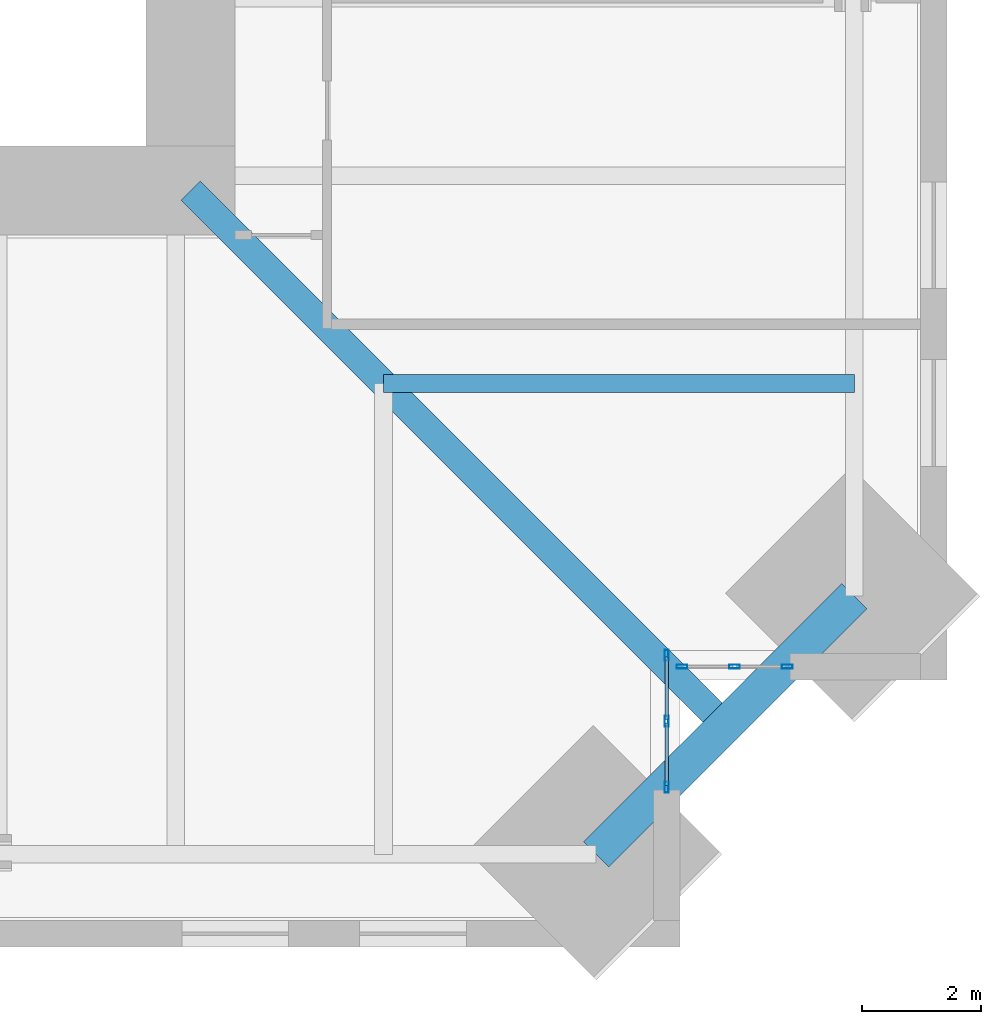
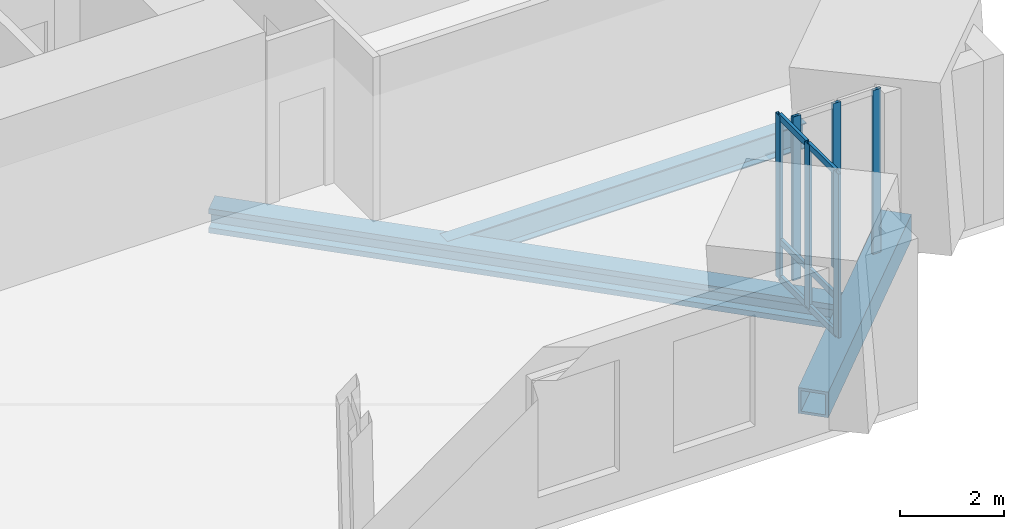
# One storey, part 4 of 15: 12 members, 3 beams, 2 elements without a shape of their own.
"""IFC4 building model written with IfcOpenShell, lengths in metres."""

from ifc_helpers import new_model, si_unit, direction, frame, origin, origin_2d, place, context, subcontext, project, spatial, hollow_rectangle, i_section, extrude, material, material_profile, profile_set, type_object, element, aggregate, save


model = new_model("IFC4")

# Units and contexts
model_context = context("Model", 3, precision=1e-05, world=origin(), true_north=direction((0.0, 1.0)))
body_context = subcontext(model_context, "Body", "Model", "MODEL_VIEW")
ifc_project = project(units=[si_unit("LENGTHUNIT", "METRE"), si_unit("AREAUNIT", "SQUARE_METRE"), si_unit("VOLUMEUNIT", "CUBIC_METRE"), si_unit("PLANEANGLEUNIT", "RADIAN"), si_unit("MASSUNIT", "GRAM", prefix="KILO")], contexts=[model_context])

# Site, building, storey
site_placement = place(None, origin())
site = spatial("IfcSite", under=ifc_project, at=site_placement, CompositionType="ELEMENT")
building_placement = place(site_placement, origin())
building = spatial("IfcBuilding", under=site, at=building_placement, Name="Peilmerk Tower", CompositionType="ELEMENT")
storey_placement = place(building_placement, frame((0.0, 0.0, 209.800048828125)))
storey = spatial("IfcBuildingStorey", under=building, at=storey_placement, Name="L45", CompositionType="ELEMENT", Elevation=209.800048828125)

# Beams
ifc_material_1 = material(Name="Steel S460", Category="steel")
ifc_material_profile_1 = material_profile(ifc_material_1, hollow_rectangle(XDim=0.60009765625, YDim=0.60009765625, WallThickness=0.06005859375, at=origin_2d()), Name="BOX 600x600x60")
ifc_profile_set_1 = profile_set([ifc_material_profile_1], Name="Steel S460")
beam_type_1 = type_object("IfcBeamType", Name="B20 BOX 600x600x60 notch beam", PredefinedType="SPANDREL", material=ifc_profile_set_1)
beam_1_placement = place(storey_placement, frame((22.43701171875, -18.087158203125, -0.469970703125), z_axis=(-0.707106781187, -0.707106781187, 0.0), x_axis=(0.707106781187, -0.707106781187, 0.0)))
element("IfcBeam", 1, at=beam_1_placement, inside=storey, type_object=beam_type_1, Name="Notch beam L45", PredefinedType="SPANDREL", context=body_context, shape_type="SweptSolid", body=[
    extrude(hollow_rectangle(XDim=0.60009765625, YDim=0.60009765625, WallThickness=0.06005859375, at=origin_2d()), origin(), (0.0, 0.0, 1.0), 6.151611328125),
])
ifc_material_2 = material(Name="Steel S355", Category="steel")
ifc_material_profile_2 = material_profile(ifc_material_2, i_section(OverallWidth=0.300048828125, OverallDepth=0.590087890625, WebThickness=0.012939453125, FlangeThickness=0.02490234375, at=origin_2d()), Name="HEA 600")
ifc_profile_set_2 = profile_set([ifc_material_profile_2], Name="Steel S355")
beam_type_2 = type_object("IfcBeamType", Name="B27 HEA 600 floor beam", PredefinedType="BEAM", material=ifc_profile_set_2)
beam_2_placement = place(storey_placement, frame((14.5, -14.5, -0.465087890625), z_axis=(1.0, 0.0, 0.0), x_axis=(0.0, 1.0, 0.0)))
element("IfcBeam", 2, at=beam_2_placement, inside=storey, type_object=beam_type_2, Name="Floor beam L45", PredefinedType="BEAM", context=body_context, shape_type="SweptSolid", body=[
    extrude(i_section(OverallWidth=0.300048828125, OverallDepth=0.590087890625, WebThickness=0.012939453125, FlangeThickness=0.02490234375, at=origin_2d()), origin(), (0.0, 0.0, 1.0), 7.93701171875),
])
ifc_material_profile_3 = material_profile(ifc_material_1, i_section(OverallWidth=0.4541015625, OverallDepth=0.569091796875, WebThickness=0.077880859375, FlangeThickness=0.125, at=origin_2d()), Name="HD 400x1086")
ifc_profile_set_3 = profile_set([ifc_material_profile_3], Name="Steel S460")
beam_type_3 = type_object("IfcBeamType", Name="B9 HD 400x1086 corner girder", PredefinedType="BEAM", material=ifc_profile_set_3)
beam_3_placement = place(storey_placement, frame((11.25, -11.25, -0.45458984375), z_axis=(0.707106781187, -0.707106781187, 0.0), x_axis=(0.707106781187, 0.707106781187, 0.0)))
element("IfcBeam", 3, at=beam_3_placement, inside=storey, type_object=beam_type_3, Name="Corner girder L45", PredefinedType="BEAM", context=body_context, shape_type="SweptSolid", body=[
    extrude(i_section(OverallWidth=0.4541015625, OverallDepth=0.569091796875, WebThickness=0.077880859375, FlangeThickness=0.125, at=origin_2d()), origin(), (0.0, 0.0, 1.0), 12.7451171875),
])

# Curtain wall, members
ifc_material_3 = material(Name="Aluminium stick curtain wall", Category="aluminium")
curtain_wall_type = type_object("IfcCurtainWallType", Name="CW4 stick curtain wall, 2250 module", PredefinedType="NOTDEFINED", material=ifc_material_3)
curtain_wall_1_placement = place(storey_placement, origin())
curtain_wall_1 = element("IfcCurtainWall", 4, at=curtain_wall_1_placement, inside=storey, type_object=curtain_wall_type, Name="Curtain wall CW4 SEA L45", PredefinedType="NOTDEFINED")
ifc_material_4 = material(Name="Aluminium EN AW-6063 T6", Category="aluminium")
ifc_material_profile_4 = material_profile(ifc_material_4, hollow_rectangle(XDim=0.06494140625, YDim=0.179931640625, WallThickness=0.0029296875, at=origin_2d()), Name="AL 180x65x3")
ifc_profile_set_4 = profile_set([ifc_material_profile_4], Name="Aluminium EN AW-6063 T6")
member_type_1 = type_object("IfcMemberType", Name="CW4-M AL 180x65x3 mullion", PredefinedType="MULLION", material=ifc_profile_set_4)
member_1_placement = place(storey_placement, frame((19.27490234375, -19.08251953125, 0.0), z_axis=(0.0, 0.0, 1.0), x_axis=(1.0, 0.0, 0.0)))
member_1 = element("IfcMember", 5, at=member_1_placement, type_object=member_type_1, Name="CW4 mullion 1", PredefinedType="MULLION", context=body_context, shape_type="SweptSolid", body=[
    extrude(hollow_rectangle(XDim=0.06494140625, YDim=0.179931640625, WallThickness=0.0029296875, at=origin_2d()), origin(), (0.0, 0.0, 1.0), 3.829833984375),
])
member_2_placement = place(storey_placement, frame((19.27490234375, -20.1943359375, 0.0), z_axis=(0.0, 0.0, 1.0), x_axis=(1.0, 0.0, 0.0)))
member_2 = element("IfcMember", 6, at=member_2_placement, type_object=member_type_1, Name="CW4 mullion 2", PredefinedType="MULLION", context=body_context, shape_type="SweptSolid", body=[
    extrude(hollow_rectangle(XDim=0.06494140625, YDim=0.179931640625, WallThickness=0.0029296875, at=origin_2d()), origin(), (0.0, 0.0, 1.0), 3.829833984375),
])
member_3_placement = place(storey_placement, frame((19.27490234375, -21.30615234375, 0.0), z_axis=(0.0, 0.0, 1.0), x_axis=(1.0, 0.0, 0.0)))
member_3 = element("IfcMember", 7, at=member_3_placement, type_object=member_type_1, Name="CW4 mullion 3", PredefinedType="MULLION", context=body_context, shape_type="SweptSolid", body=[
    extrude(hollow_rectangle(XDim=0.06494140625, YDim=0.179931640625, WallThickness=0.0029296875, at=origin_2d()), origin(), (0.0, 0.0, 1.0), 3.829833984375),
])

curtain_wall_2_placement = place(storey_placement, origin())
curtain_wall_2 = element("IfcCurtainWall", 8, at=curtain_wall_2_placement, inside=storey, type_object=curtain_wall_type, Name="Curtain wall CW4 SEB L45", PredefinedType="NOTDEFINED")
member_4_placement = place(storey_placement, frame((19.532470703125, -19.27490234375, 0.0), z_axis=(0.0, 0.0, 1.0), x_axis=(0.0, 1.0, 0.0)))
member_4 = element("IfcMember", 9, at=member_4_placement, type_object=member_type_1, Name="CW4 mullion 1", PredefinedType="MULLION", context=body_context, shape_type="SweptSolid", body=[
    extrude(hollow_rectangle(XDim=0.06494140625, YDim=0.179931640625, WallThickness=0.0029296875, at=origin_2d()), origin(), (0.0, 0.0, 1.0), 3.829833984375),
])
member_5_placement = place(storey_placement, frame((20.41943359375, -19.27490234375, 0.0), z_axis=(0.0, 0.0, 1.0), x_axis=(0.0, 1.0, 0.0)))
member_5 = element("IfcMember", 10, at=member_5_placement, type_object=member_type_1, Name="CW4 mullion 2", PredefinedType="MULLION", context=body_context, shape_type="SweptSolid", body=[
    extrude(hollow_rectangle(XDim=0.06494140625, YDim=0.179931640625, WallThickness=0.0029296875, at=origin_2d()), origin(), (0.0, 0.0, 1.0), 3.829833984375),
])
member_6_placement = place(storey_placement, frame((21.30615234375, -19.27490234375, 0.0), z_axis=(0.0, 0.0, 1.0), x_axis=(0.0, 1.0, 0.0)))
member_6 = element("IfcMember", 11, at=member_6_placement, type_object=member_type_1, Name="CW4 mullion 3", PredefinedType="MULLION", context=body_context, shape_type="SweptSolid", body=[
    extrude(hollow_rectangle(XDim=0.06494140625, YDim=0.179931640625, WallThickness=0.0029296875, at=origin_2d()), origin(), (0.0, 0.0, 1.0), 3.829833984375),
])
aggregate(curtain_wall_2, [member_4, member_5, member_6])

# Member
ifc_material_profile_5 = material_profile(ifc_material_4, hollow_rectangle(XDim=0.06494140625, YDim=0.14990234375, WallThickness=0.0029296875, at=origin_2d()), Name="AL 150x65x3")
ifc_profile_set_5 = profile_set([ifc_material_profile_5], Name="Aluminium EN AW-6063 T6")
member_type_2 = type_object("IfcMemberType", Name="CW4-T AL 150x65x3 transom", PredefinedType="USERDEFINED", material=ifc_profile_set_5)
member_7_placement = place(storey_placement, frame((19.27490234375, -19.114990234375, 0.032470703125), z_axis=(0.0, -1.0, 0.0), x_axis=(1.0, 0.0, 0.0)))
member_7 = element("IfcMember", 12, at=member_7_placement, type_object=member_type_2, Name="CW4 transom 1.1", ObjectType="TRANSOM", PredefinedType="USERDEFINED", context=body_context, shape_type="SweptSolid", body=[
    extrude(hollow_rectangle(XDim=0.06494140625, YDim=0.14990234375, WallThickness=0.0029296875, at=origin_2d()), origin(), (0.0, 0.0, 1.0), 1.046875),
])

member_8_placement = place(storey_placement, frame((19.27490234375, -19.114990234375, 0.89990234375), z_axis=(0.0, -1.0, 0.0), x_axis=(1.0, 0.0, 0.0)))
member_8 = element("IfcMember", 13, at=member_8_placement, type_object=member_type_2, Name="CW4 transom 1.2", ObjectType="TRANSOM", PredefinedType="USERDEFINED", context=body_context, shape_type="SweptSolid", body=[
    extrude(hollow_rectangle(XDim=0.06494140625, YDim=0.14990234375, WallThickness=0.0029296875, at=origin_2d()), origin(), (0.0, 0.0, 1.0), 1.046875),
])

member_9_placement = place(storey_placement, frame((19.27490234375, -19.114990234375, 3.79736328125), z_axis=(0.0, -1.0, 0.0), x_axis=(1.0, 0.0, 0.0)))
member_9 = element("IfcMember", 14, at=member_9_placement, type_object=member_type_2, Name="CW4 transom 1.3", ObjectType="TRANSOM", PredefinedType="USERDEFINED", context=body_context, shape_type="SweptSolid", body=[
    extrude(hollow_rectangle(XDim=0.06494140625, YDim=0.14990234375, WallThickness=0.0029296875, at=origin_2d()), origin(), (0.0, 0.0, 1.0), 1.046875),
])

member_10_placement = place(storey_placement, frame((19.27490234375, -20.226806640625, 0.032470703125), z_axis=(0.0, -1.0, 0.0), x_axis=(1.0, 0.0, 0.0)))
member_10 = element("IfcMember", 15, at=member_10_placement, type_object=member_type_2, Name="CW4 transom 2.1", ObjectType="TRANSOM", PredefinedType="USERDEFINED", context=body_context, shape_type="SweptSolid", body=[
    extrude(hollow_rectangle(XDim=0.06494140625, YDim=0.14990234375, WallThickness=0.0029296875, at=origin_2d()), origin(), (0.0, 0.0, 1.0), 1.046875),
])

member_11_placement = place(storey_placement, frame((19.27490234375, -20.226806640625, 0.89990234375), z_axis=(0.0, -1.0, 0.0), x_axis=(1.0, 0.0, 0.0)))
member_11 = element("IfcMember", 16, at=member_11_placement, type_object=member_type_2, Name="CW4 transom 2.2", ObjectType="TRANSOM", PredefinedType="USERDEFINED", context=body_context, shape_type="SweptSolid", body=[
    extrude(hollow_rectangle(XDim=0.06494140625, YDim=0.14990234375, WallThickness=0.0029296875, at=origin_2d()), origin(), (0.0, 0.0, 1.0), 1.046875),
])

member_12_placement = place(storey_placement, frame((19.27490234375, -20.226806640625, 3.79736328125), z_axis=(0.0, -1.0, 0.0), x_axis=(1.0, 0.0, 0.0)))
member_12 = element("IfcMember", 17, at=member_12_placement, type_object=member_type_2, Name="CW4 transom 2.3", ObjectType="TRANSOM", PredefinedType="USERDEFINED", context=body_context, shape_type="SweptSolid", body=[
    extrude(hollow_rectangle(XDim=0.06494140625, YDim=0.14990234375, WallThickness=0.0029296875, at=origin_2d()), origin(), (0.0, 0.0, 1.0), 1.046875),
])

aggregate(curtain_wall_1, [member_1, member_2, member_3, member_7, member_8, member_9, member_10, member_11, member_12])

save(model, "model.ifc")
